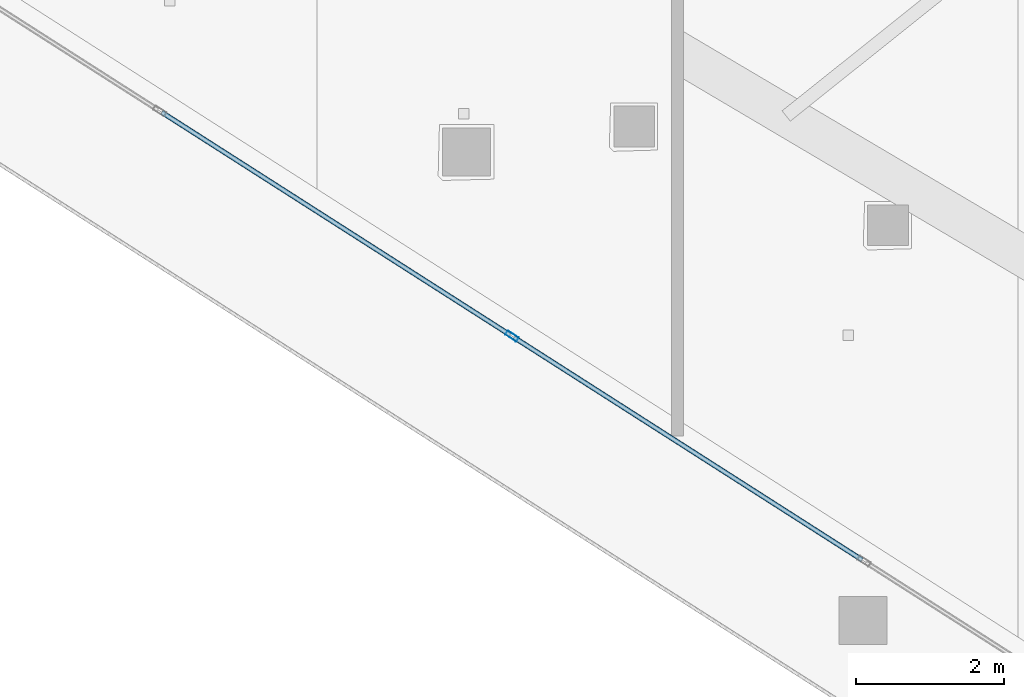
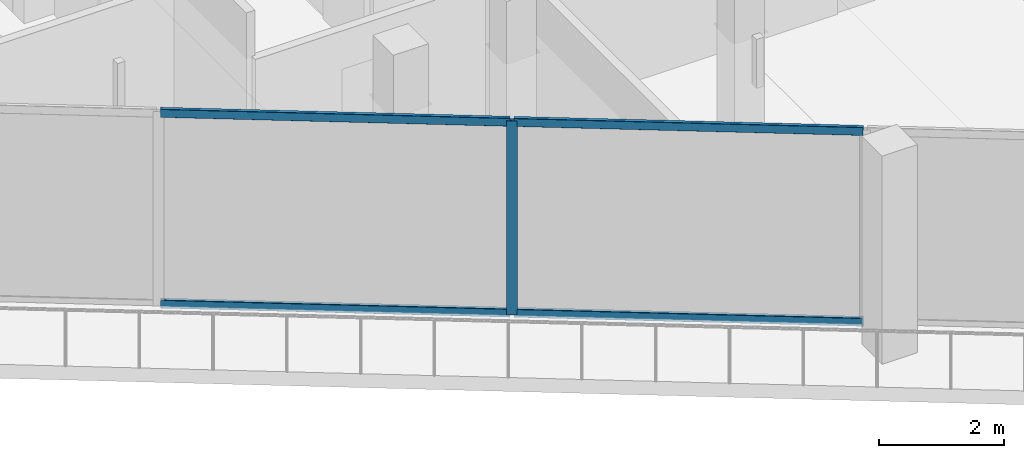
# One storey, part 4 of 36: 5 members, 1 element without a shape of its own.
"""IFC4 building model written with IfcOpenShell, lengths in metres."""

from ifc_helpers import new_model, si_unit, direction, frame, origin, origin_2d, place, context, subcontext, project, spatial, hollow_rectangle, extrude, material, layer, layer_set, material_profile, profile_set, type_object, element, aggregate, save


model = new_model("IFC4")

# Units and contexts
model_context = context("Model", 3, precision=1e-05, world=origin(), true_north=direction((0.0, 1.0)))
body_context = subcontext(model_context, "Body", "Model", "MODEL_VIEW")
ifc_project = project(units=[si_unit("LENGTHUNIT", "METRE"), si_unit("AREAUNIT", "SQUARE_METRE"), si_unit("VOLUMEUNIT", "CUBIC_METRE"), si_unit("PLANEANGLEUNIT", "RADIAN"), si_unit("MASSUNIT", "GRAM", prefix="KILO")], contexts=[model_context])

# Site, building, storey
site_placement = place(None, origin())
site = spatial("IfcSite", under=ifc_project, at=site_placement, CompositionType="ELEMENT")
building_placement = place(site_placement, origin())
building = spatial("IfcBuilding", under=site, at=building_placement, Name="Qorvath Tower", CompositionType="ELEMENT")
storey_placement = place(building_placement, frame((0.0, 0.0, 205.050048828125)))
storey = spatial("IfcBuildingStorey", under=building, at=storey_placement, Name="L47", CompositionType="ELEMENT", Elevation=205.050048828125)

# Curtain wall, members
ifc_material_1 = material(Name="Anodised aluminium and triple low-E glass", Category="aluminium")
ifc_layer = layer(ifc_material_1, 0.179931640625)
ifc_layer_set = layer_set([ifc_layer], Name="CW-SYS-3")
curtain_wall_type = type_object("IfcCurtainWallType", Name="CW-SYS-3", PredefinedType="NOTDEFINED", material=ifc_layer_set)
curtain_wall_placement = place(storey_placement, origin())
curtain_wall = element("IfcCurtainWall", 1, at=curtain_wall_placement, inside=storey, type_object=curtain_wall_type, Name="Curtain Wall CW-3 CW-T-L47-2.1", PredefinedType="NOTDEFINED")
ifc_material_2 = material(Name="Anodised aluminium 6063-T6", Category="aluminium")
ifc_material_profile_1 = material_profile(ifc_material_2, hollow_rectangle(XDim=0.06494140625, YDim=0.179931640625, WallThickness=0.00341796875, InnerFilletRadius=0.00341796875, OuterFilletRadius=0.007080078125, at=origin_2d()), Name="CWM 180x65")
ifc_profile_set_1 = profile_set([ifc_material_profile_1], Name="Anodised aluminium 6063-T6")
member_type_1 = type_object("IfcMemberType", Name="CWM-180", PredefinedType="MULLION", material=ifc_profile_set_1)
member_1_placement = place(storey_placement, frame((-35.752685546875, -15.62109375, 0.0), z_axis=(0.0, 0.0, 1.0), x_axis=(0.538533623725, 0.842604020948, 0.0)))
member_1 = element("IfcMember", 2, at=member_1_placement, type_object=member_type_1, Name="CW-3 mullion 5", PredefinedType="MULLION", context=body_context, shape_type="SweptSolid", body=[
    extrude(hollow_rectangle(XDim=0.06494140625, YDim=0.179931640625, WallThickness=0.00341796875, InnerFilletRadius=0.00341796875, OuterFilletRadius=0.007080078125, at=origin_2d()), origin(), (0.0, 0.0, 1.0), 3.780029296875),
])
ifc_material_3 = material(Name="Anodised aluminium 6063-T6", Category="aluminium")
ifc_material_profile_2 = material_profile(ifc_material_3, hollow_rectangle(XDim=0.06494140625, YDim=0.159912109375, WallThickness=0.00341796875, InnerFilletRadius=0.00341796875, OuterFilletRadius=0.007080078125, at=origin_2d()), Name="CWT 160x65")
ifc_profile_set_2 = profile_set([ifc_material_profile_2], Name="Anodised aluminium 6063-T6")
member_type_2 = type_object("IfcMemberType", Name="CWT-160", PredefinedType="USERDEFINED", material=ifc_profile_set_2)
member_2_placement = place(storey_placement, frame((-40.477783203125, -12.601318359375, 0.032470703125), z_axis=(0.842594144247, -0.538549076761, 0.0), x_axis=(0.538549076761, 0.842594144247, 0.0)))
member_2 = element("IfcMember", 3, at=member_2_placement, type_object=member_type_2, Name="CW-3 transom 4.1", ObjectType="TRANSOM", PredefinedType="USERDEFINED", context=body_context, shape_type="SweptSolid", body=[
    extrude(hollow_rectangle(XDim=0.06494140625, YDim=0.159912109375, WallThickness=0.00341796875, InnerFilletRadius=0.00341796875, OuterFilletRadius=0.007080078125, at=origin_2d()), origin(), (0.0, 0.0, 1.0), 5.574951171875),
])
member_3_placement = place(storey_placement, frame((-40.477783203125, -12.601318359375, 3.74755859375), z_axis=(0.842594144247, -0.538549076761, 0.0), x_axis=(0.538549076761, 0.842594144247, 0.0)))
member_3 = element("IfcMember", 4, at=member_3_placement, type_object=member_type_2, Name="CW-3 transom 4.2", ObjectType="TRANSOM", PredefinedType="USERDEFINED", context=body_context, shape_type="SweptSolid", body=[
    extrude(hollow_rectangle(XDim=0.06494140625, YDim=0.159912109375, WallThickness=0.00341796875, InnerFilletRadius=0.00341796875, OuterFilletRadius=0.007080078125, at=origin_2d()), origin(), (0.0, 0.0, 1.0), 5.574951171875),
])
member_4_placement = place(storey_placement, frame((-35.725341796875, -15.638671875, 0.032470703125), z_axis=(0.842606844645, -0.538529205667, 0.0), x_axis=(0.538529205667, 0.842606844645, 0.0)))
member_4 = element("IfcMember", 5, at=member_4_placement, type_object=member_type_2, Name="CW-3 transom 5.1", ObjectType="TRANSOM", PredefinedType="USERDEFINED", context=body_context, shape_type="SweptSolid", body=[
    extrude(hollow_rectangle(XDim=0.06494140625, YDim=0.159912109375, WallThickness=0.00341796875, InnerFilletRadius=0.00341796875, OuterFilletRadius=0.007080078125, at=origin_2d()), origin(), (0.0, 0.0, 1.0), 5.5751953125),
])
member_5_placement = place(storey_placement, frame((-35.725341796875, -15.638671875, 3.74755859375), z_axis=(0.842606844645, -0.538529205667, 0.0), x_axis=(0.538529205667, 0.842606844645, 0.0)))
member_5 = element("IfcMember", 6, at=member_5_placement, type_object=member_type_2, Name="CW-3 transom 5.2", ObjectType="TRANSOM", PredefinedType="USERDEFINED", context=body_context, shape_type="SweptSolid", body=[
    extrude(hollow_rectangle(XDim=0.06494140625, YDim=0.159912109375, WallThickness=0.00341796875, InnerFilletRadius=0.00341796875, OuterFilletRadius=0.007080078125, at=origin_2d()), origin(), (0.0, 0.0, 1.0), 5.5751953125),
])
aggregate(curtain_wall, [member_1, member_2, member_3, member_4, member_5])

save(model, "model.ifc")
